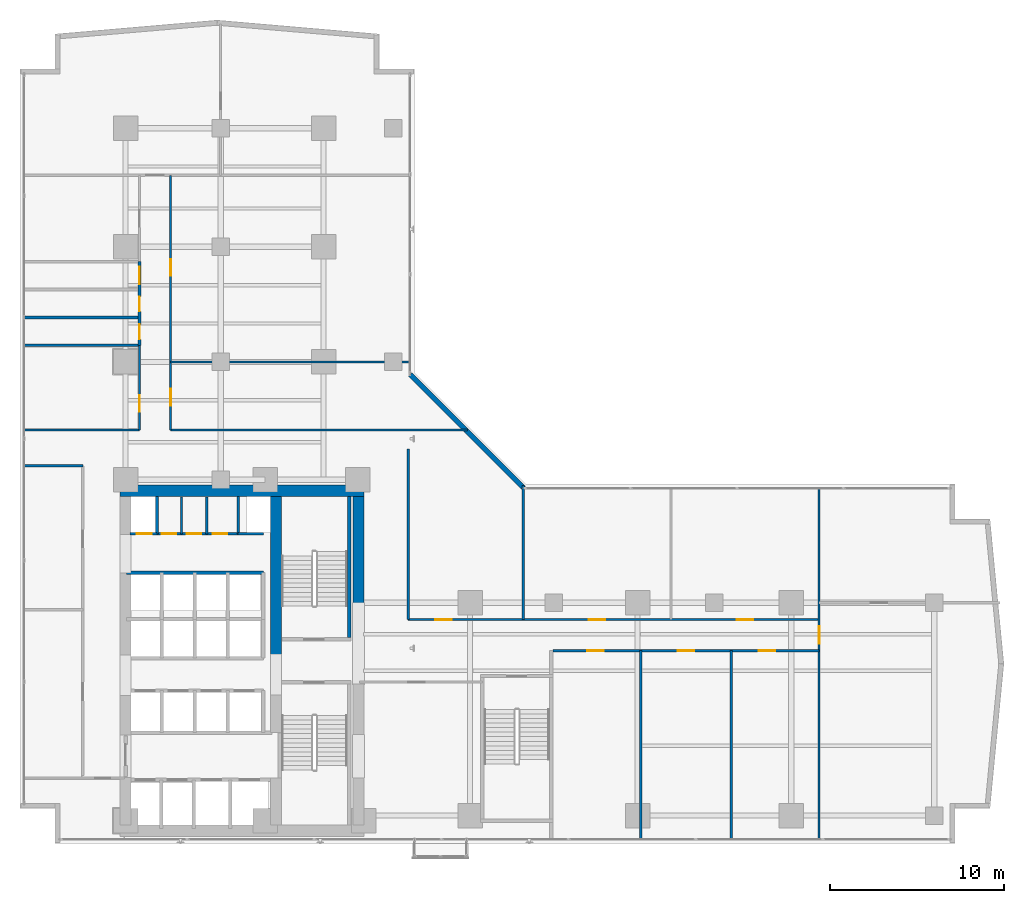
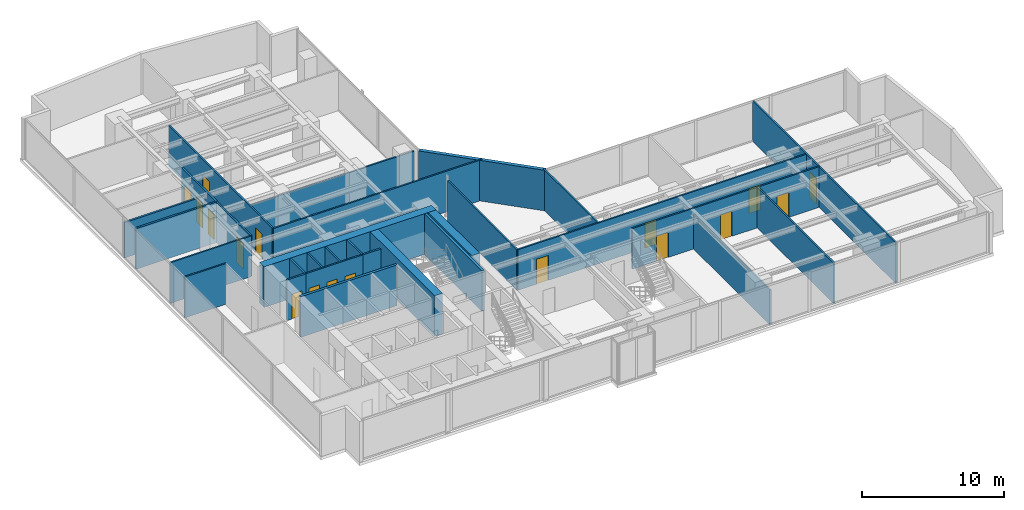
# One storey, part 20 of 25: 29 walls, 17 doors, 17 openings.
"""IFC4 building model written with IfcOpenShell, lengths in metres."""

from ifc_helpers import new_model, si_unit, direction, frame, frame_2d, origin, place, context, subcontext, project, spatial, rectangle, extrude, material, layer, layer_set, type_object, element, fill, save


model = new_model("IFC4")

# Units and contexts
model_context = context("Model", 3, precision=1e-05, world=origin(), true_north=direction((0.0, 1.0)))
body_context = subcontext(model_context, "Body", "Model", "MODEL_VIEW")
ifc_project = project(units=[si_unit("LENGTHUNIT", "METRE"), si_unit("AREAUNIT", "SQUARE_METRE"), si_unit("VOLUMEUNIT", "CUBIC_METRE"), si_unit("PLANEANGLEUNIT", "RADIAN"), si_unit("MASSUNIT", "GRAM", prefix="KILO")], contexts=[model_context])

# Site, building, storey
site_placement = place(None, origin())
site = spatial("IfcSite", under=ifc_project, at=site_placement, CompositionType="ELEMENT")
building_placement = place(site_placement, origin())
building = spatial("IfcBuilding", under=site, at=building_placement, Name="Kolvaren Waterfront Exchange", CompositionType="ELEMENT")
storey_placement = place(building_placement, frame((0.0, 0.0, 106.89990234375)))
storey = spatial("IfcBuildingStorey", under=building, at=storey_placement, Name="L27", CompositionType="ELEMENT", Elevation=106.89990234375)

# Wall
ifc_material_1 = material(Name="Precast concrete C40/50", Category="concrete")
ifc_layer_1 = layer(ifc_material_1, 0.280029296875, Name="Precast concrete C40/50")
ifc_layer_set_1 = layer_set([ifc_layer_1], Name="Precast concrete C40/50")
wall_type_1 = type_object("IfcWallType", Name="ARC-EXT-TERR-280", PredefinedType="SOLIDWALL", material=ifc_layer_set_1)
wall_1_placement = place(storey_placement, frame((30.284912109375, 23.97509765625, 0.0), z_axis=(0.0, 0.0, 1.0), x_axis=(-0.707106781187, 0.707106781187, 0.0)))
element("IfcWall", 1, at=wall_1_placement, inside=storey, type_object=wall_type_1, Name="L27 notched corner spandrel pier ELBOW", PredefinedType="SOLIDWALL", context=body_context, shape_type="SweptSolid", body=[
    extrude(rectangle(XDim=9.20654296875, YDim=0.280029296875, at=frame_2d((4.603271484375, 0.0))), origin(), (0.0, 0.0, 1.0), 3.5),
])

# Wall, openings, doors
ifc_material_2 = material(Name="Acoustic gypsum steel stud", Category="steel")
ifc_layer_2 = layer(ifc_material_2, 0.125, Name="Acoustic gypsum steel stud")
ifc_layer_set_2 = layer_set([ifc_layer_2], Name="Acoustic gypsum steel stud")
wall_type_2 = type_object("IfcWallType", Name="ARC-PART-125", PredefinedType="PARTITIONING", material=ifc_layer_set_2)
wall_2_placement = place(storey_placement, frame((9.25, 21.35009765625, 0.0), z_axis=(0.0, 0.0, 1.0), x_axis=(1.0, 0.0, 0.0)))
wall_2 = element("IfcWall", 2, at=wall_2_placement, inside=storey, type_object=wall_type_2, Name="L27 interior wall PW-L27-SVC-EX-S", PredefinedType="PARTITIONING", context=body_context, shape_type="SweptSolid", body=[
    extrude(rectangle(XDim=4.64990234375, YDim=0.125, at=frame_2d((2.324951171875, 0.0))), origin(), (0.0, 0.0, 1.0), 3.5),
])
opening_1_placement = place(wall_2_placement, frame((0.264892578125, 0.0, 0.0)))
opening_1 = element("IfcOpeningElement", 3, at=opening_1_placement, cuts=wall_2, Name="Opening D01", PredefinedType="OPENING", context=body_context, shape_type="SweptSolid", body=[
    extrude(rectangle(XDim=0.85009765625, YDim=2.14990234375, at=frame_2d((0.425048828125, 1.074951171875))), frame((0.0, 0.072509765625, 0.0), z_axis=(0.0, -1.0, 0.0), x_axis=(1.0, 0.0, 0.0)), (0.0, 0.0, 1.0), 0.14501953125),
])
opening_2_placement = place(wall_2_placement, frame((1.695068359375, 0.0, 0.0)))
opening_2 = element("IfcOpeningElement", 4, at=opening_2_placement, cuts=wall_2, Name="Opening D01", PredefinedType="OPENING", context=body_context, shape_type="SweptSolid", body=[
    extrude(rectangle(XDim=0.85009765625, YDim=2.14990234375, at=frame_2d((0.425048828125, 1.074951171875))), frame((0.0, 0.072509765625, 0.0), z_axis=(0.0, -1.0, 0.0), x_axis=(1.0, 0.0, 0.0)), (0.0, 0.0, 1.0), 0.14501953125),
])
opening_3_placement = place(wall_2_placement, frame((3.18994140625, 0.0, 0.0)))
opening_3 = element("IfcOpeningElement", 5, at=opening_3_placement, cuts=wall_2, Name="Opening D01", PredefinedType="OPENING", context=body_context, shape_type="SweptSolid", body=[
    extrude(rectangle(XDim=0.85009765625, YDim=2.14990234375, at=frame_2d((0.425048828125, 1.074951171875))), frame((0.0, 0.072509765625, 0.0), z_axis=(0.0, -1.0, 0.0), x_axis=(1.0, 0.0, 0.0)), (0.0, 0.0, 1.0), 0.14501953125),
])
ifc_material_3 = material(Name="Oak veneer timber leaf", Category="wood")
door_type_1 = type_object("IfcDoorType", Name="ARC-DR-900", OperationType="NOTDEFINED", PredefinedType="DOOR", material=ifc_material_3)
door_1_placement = place(opening_1_placement, origin())
door_1 = element("IfcDoor", 6, at=door_1_placement, inside=storey, type_object=door_type_1, Name="L27 door DR-L27-SVC-DR-1 (D01)", OperationType="SINGLE_SWING_RIGHT", OverallHeight=2.14990234375, OverallWidth=0.85009765625, PredefinedType="DOOR", context=body_context, shape_type="SweptSolid", body=[
    extrude(rectangle(XDim=0.85009765625, YDim=2.14990234375, at=frame_2d((0.425048828125, 1.074951171875))), frame((0.0, 0.02490234375, 0.0), z_axis=(0.0, -1.0, 0.0), x_axis=(1.0, 0.0, 0.0)), (0.0, 0.0, 1.0), 0.050048828125),
])
fill(opening_1, door_1)
door_2_placement = place(opening_2_placement, origin())
door_2 = element("IfcDoor", 7, at=door_2_placement, inside=storey, type_object=door_type_1, Name="L27 door DR-L27-SVC-DR-2 (D01)", OperationType="SINGLE_SWING_LEFT", OverallHeight=2.14990234375, OverallWidth=0.85009765625, PredefinedType="DOOR", context=body_context, shape_type="SweptSolid", body=[
    extrude(rectangle(XDim=0.85009765625, YDim=2.14990234375, at=frame_2d((0.425048828125, 1.074951171875))), frame((0.0, 0.02490234375, 0.0), z_axis=(0.0, -1.0, 0.0), x_axis=(1.0, 0.0, 0.0)), (0.0, 0.0, 1.0), 0.050048828125),
])
fill(opening_2, door_2)
door_3_placement = place(opening_3_placement, origin())
door_3 = element("IfcDoor", 8, at=door_3_placement, inside=storey, type_object=door_type_1, Name="L27 door DR-L27-SVC-DR-3 (D01)", OperationType="SINGLE_SWING_RIGHT", OverallHeight=2.14990234375, OverallWidth=0.85009765625, PredefinedType="DOOR", context=body_context, shape_type="SweptSolid", body=[
    extrude(rectangle(XDim=0.85009765625, YDim=2.14990234375, at=frame_2d((0.425048828125, 1.074951171875))), frame((0.0, 0.02490234375, 0.0), z_axis=(0.0, -1.0, 0.0), x_axis=(1.0, 0.0, 0.0)), (0.0, 0.0, 1.0), 0.050048828125),
])
fill(opening_3, door_3)

# Walls
for number, where, z_axis, x_axis, name in (
    (9, (10.64990234375, 21.35009765625, 0.0), (0.0, 0.0, 1.0), (0.0, 1.0, 0.0), "L27 interior wall PW-L27-SVC-EX-A"),
    (10, (12.10009765625, 21.35009765625, 0.0), (0.0, 0.0, 1.0), (0.0, 1.0, 0.0), "L27 interior wall PW-L27-SVC-EX-B"),
):
    element("IfcWall", number, at=place(storey_placement, frame(where, z_axis=z_axis, x_axis=x_axis)), inside=storey, type_object=wall_type_2, Name=name, PredefinedType="PARTITIONING", context=body_context, shape_type="SweptSolid", body=[
        extrude(rectangle(XDim=2.099853515625, YDim=0.125, at=frame_2d((1.0498046875, 0.0))), origin(), (0.0, 0.0, 1.0), 3.5),
    ])

# Wall, opening, door
wall_3_placement = place(storey_placement, frame((8.25, 27.300048828125, 0.0), z_axis=(0.0, 0.0, 1.0), x_axis=(0.0, 1.0, 0.0)))
wall_3 = element("IfcWall", 11, at=wall_3_placement, inside=storey, type_object=wall_type_2, Name="L27 interior wall PW-L27-PREWC-E", PredefinedType="PARTITIONING", context=body_context, shape_type="SweptSolid", body=[
    extrude(rectangle(XDim=4.849853515625, YDim=0.125, at=frame_2d((2.4248046875, 0.0))), origin(), (0.0, 0.0, 1.0), 3.5),
])
opening_4_placement = place(wall_3_placement, frame((1.050048828125, 0.0, 0.0)))
opening_4 = element("IfcOpeningElement", 12, at=opening_4_placement, cuts=wall_3, Name="Opening D02", PredefinedType="OPENING", context=body_context, shape_type="SweptSolid", body=[
    extrude(rectangle(XDim=0.949951171875, YDim=2.14990234375, at=frame_2d((0.47509765625, 1.074951171875))), frame((0.0, 0.072509765625, 0.0), z_axis=(0.0, -1.0, 0.0), x_axis=(1.0, 0.0, 0.0)), (0.0, 0.0, 1.0), 0.14501953125),
])
ifc_material_4 = material(Name="Oak veneer acoustic timber", Category="wood")
door_type_2 = type_object("IfcDoorType", Name="ARC-DR-950", OperationType="NOTDEFINED", PredefinedType="DOOR", material=ifc_material_4)
door_4_placement = place(opening_4_placement, origin())
door_4 = element("IfcDoor", 13, at=door_4_placement, inside=storey, type_object=door_type_2, Name="L27 door DR-L27-PREWC-D (D02)", OperationType="SINGLE_SWING_LEFT", OverallHeight=2.14990234375, OverallWidth=0.949951171875, PredefinedType="DOOR", context=body_context, shape_type="SweptSolid", body=[
    extrude(rectangle(XDim=0.949951171875, YDim=2.14990234375, at=frame_2d((0.47509765625, 1.074951171875))), frame((0.0, 0.02490234375, 0.0), z_axis=(0.0, -1.0, 0.0), x_axis=(1.0, 0.0, 0.0)), (0.0, 0.0, 1.0), 0.050048828125),
])
fill(opening_4, door_4)

# Walls
wall_4_placement = place(storey_placement, frame((1.639892578125, 27.300048828125, 0.0), z_axis=(0.0, 0.0, 1.0), x_axis=(1.0, 0.0, 0.0)))
element("IfcWall", 14, at=wall_4_placement, inside=storey, type_object=wall_type_2, Name="L27 interior wall PW-L27-PREWC-S", PredefinedType="PARTITIONING", context=body_context, shape_type="SweptSolid", body=[
    extrude(rectangle(XDim=6.610107421875, YDim=0.125, at=frame_2d((3.30517578125, 0.0))), origin(), (0.0, 0.0, 1.0), 3.5),
])
wall_5_placement = place(storey_placement, frame((1.639892578125, 25.25, 0.0), z_axis=(0.0, 0.0, 1.0), x_axis=(1.0, 0.0, 0.0)))
element("IfcWall", 15, at=wall_5_placement, inside=storey, type_object=wall_type_2, Name="L27 interior wall PW-L27-WFLANK-N", PredefinedType="PARTITIONING", context=body_context, shape_type="SweptSolid", body=[
    extrude(rectangle(XDim=3.360107421875, YDim=0.125, at=frame_2d((1.68017578125, 0.0))), origin(), (0.0, 0.0, 1.0), 3.5),
])

# Wall, openings, doors
wall_6_placement = place(storey_placement, frame((31.949951171875, 14.64990234375, 0.0), z_axis=(0.0, 0.0, 1.0), x_axis=(1.0, 0.0, 0.0)))
wall_6 = element("IfcWall", 16, at=wall_6_placement, inside=storey, type_object=wall_type_2, Name="L27 interior wall PW-L27-ES-CORR", PredefinedType="PARTITIONING", context=body_context, shape_type="SweptSolid", body=[
    extrude(rectangle(XDim=15.25, YDim=0.125, at=frame_2d((7.625, 0.0))), origin(), (0.0, 0.0, 1.0), 3.5),
])
opening_5_placement = place(wall_6_placement, frame((1.96875, 0.0, 0.0)))
opening_5 = element("IfcOpeningElement", 17, at=opening_5_placement, cuts=wall_6, Name="Opening D02", PredefinedType="OPENING", context=body_context, shape_type="SweptSolid", body=[
    extrude(rectangle(XDim=0.949951171875, YDim=2.14990234375, at=frame_2d((0.47509765625, 1.074951171875))), frame((0.0, 0.072509765625, 0.0), z_axis=(0.0, -1.0, 0.0), x_axis=(1.0, 0.0, 0.0)), (0.0, 0.0, 1.0), 0.14501953125),
])
opening_6_placement = place(wall_6_placement, frame((7.14990234375, 0.0, 0.0)))
opening_6 = element("IfcOpeningElement", 18, at=opening_6_placement, cuts=wall_6, Name="Opening D02", PredefinedType="OPENING", context=body_context, shape_type="SweptSolid", body=[
    extrude(rectangle(XDim=0.949951171875, YDim=2.14990234375, at=frame_2d((0.47509765625, 1.074951171875))), frame((0.0, 0.072509765625, 0.0), z_axis=(0.0, -1.0, 0.0), x_axis=(1.0, 0.0, 0.0)), (0.0, 0.0, 1.0), 0.14501953125),
])
opening_7_placement = place(wall_6_placement, frame((11.784912109375, 0.0, 0.0)))
opening_7 = element("IfcOpeningElement", 19, at=opening_7_placement, cuts=wall_6, Name="Opening D02", PredefinedType="OPENING", context=body_context, shape_type="SweptSolid", body=[
    extrude(rectangle(XDim=0.949951171875, YDim=2.14990234375, at=frame_2d((0.47509765625, 1.074951171875))), frame((0.0, 0.072509765625, 0.0), z_axis=(0.0, -1.0, 0.0), x_axis=(1.0, 0.0, 0.0)), (0.0, 0.0, 1.0), 0.14501953125),
])
door_5_placement = place(opening_5_placement, origin())
door_5 = element("IfcDoor", 20, at=door_5_placement, inside=storey, type_object=door_type_2, Name="L27 door DR-L27-ES-D-1 (D02)", OperationType="SINGLE_SWING_LEFT", OverallHeight=2.14990234375, OverallWidth=0.949951171875, PredefinedType="DOOR", context=body_context, shape_type="SweptSolid", body=[
    extrude(rectangle(XDim=0.949951171875, YDim=2.14990234375, at=frame_2d((0.47509765625, 1.074951171875))), frame((0.0, 0.02490234375, 0.0), z_axis=(0.0, -1.0, 0.0), x_axis=(1.0, 0.0, 0.0)), (0.0, 0.0, 1.0), 0.050048828125),
])
fill(opening_5, door_5)
door_6_placement = place(opening_6_placement, origin())
door_6 = element("IfcDoor", 21, at=door_6_placement, inside=storey, type_object=door_type_2, Name="L27 door DR-L27-ES-D-2 (D02)", OperationType="SINGLE_SWING_RIGHT", OverallHeight=2.14990234375, OverallWidth=0.949951171875, PredefinedType="DOOR", context=body_context, shape_type="SweptSolid", body=[
    extrude(rectangle(XDim=0.949951171875, YDim=2.14990234375, at=frame_2d((0.47509765625, 1.074951171875))), frame((0.0, 0.02490234375, 0.0), z_axis=(0.0, -1.0, 0.0), x_axis=(1.0, 0.0, 0.0)), (0.0, 0.0, 1.0), 0.050048828125),
])
fill(opening_6, door_6)
door_7_placement = place(opening_7_placement, origin())
door_7 = element("IfcDoor", 22, at=door_7_placement, inside=storey, type_object=door_type_2, Name="L27 door DR-L27-ES-D-3 (D02)", OperationType="SINGLE_SWING_LEFT", OverallHeight=2.14990234375, OverallWidth=0.949951171875, PredefinedType="DOOR", context=body_context, shape_type="SweptSolid", body=[
    extrude(rectangle(XDim=0.949951171875, YDim=2.14990234375, at=frame_2d((0.47509765625, 1.074951171875))), frame((0.0, 0.02490234375, 0.0), z_axis=(0.0, -1.0, 0.0), x_axis=(1.0, 0.0, 0.0)), (0.0, 0.0, 1.0), 0.050048828125),
])
fill(opening_7, door_7)

# Walls
wall_7_placement = place(storey_placement, frame((36.97998046875, 3.840087890625, 0.0), z_axis=(0.0, 0.0, 1.0), x_axis=(0.0, 1.0, 0.0)))
element("IfcWall", 23, at=wall_7_placement, inside=storey, type_object=wall_type_2, Name="L27 interior wall PW-L27-ES-DIV-1", PredefinedType="PARTITIONING", context=body_context, shape_type="SweptSolid", body=[
    extrude(rectangle(XDim=10.809814453125, YDim=0.125, at=frame_2d((5.40478515625, 0.0))), origin(), (0.0, 0.0, 1.0), 3.0),
])
wall_8_placement = place(storey_placement, frame((42.169921875, 3.840087890625, 0.0), z_axis=(0.0, 0.0, 1.0), x_axis=(0.0, 1.0, 0.0)))
element("IfcWall", 24, at=wall_8_placement, inside=storey, type_object=wall_type_2, Name="L27 interior wall PW-L27-ES-DIV-2", PredefinedType="PARTITIONING", context=body_context, shape_type="SweptSolid", body=[
    extrude(rectangle(XDim=10.809814453125, YDim=0.125, at=frame_2d((5.40478515625, 0.0))), origin(), (0.0, 0.0, 1.0), 3.5),
])

# Wall, opening, door
wall_9_placement = place(storey_placement, frame((47.199951171875, 3.840087890625, 0.0), z_axis=(0.0, 0.0, 1.0), x_axis=(0.0, 1.0, 0.0)))
wall_9 = element("IfcWall", 25, at=wall_9_placement, inside=storey, type_object=wall_type_2, Name="L27 interior wall PW-L27-ETIP-W", PredefinedType="PARTITIONING", context=body_context, shape_type="SweptSolid", body=[
    extrude(rectangle(XDim=20.119873046875, YDim=0.125, at=frame_2d((10.06005859375, 0.0))), origin(), (0.0, 0.0, 1.0), 3.5),
])
opening_8_placement = place(wall_9_placement, frame((11.199951171875, 0.0, 0.0)))
opening_8 = element("IfcOpeningElement", 26, at=opening_8_placement, cuts=wall_9, Name="Opening D03", PredefinedType="OPENING", context=body_context, shape_type="SweptSolid", body=[
    extrude(rectangle(XDim=1.0, YDim=2.199951171875, at=frame_2d((0.5, 1.10009765625))), frame((0.0, 0.072509765625, 0.0), z_axis=(0.0, -1.0, 0.0), x_axis=(1.0, 0.0, 0.0)), (0.0, 0.0, 1.0), 0.14501953125),
])
ifc_material_5 = material(Name="Oak veneer accessible timber", Category="wood")
door_type_3 = type_object("IfcDoorType", Name="ARC-DR-1000", OperationType="NOTDEFINED", PredefinedType="DOOR", material=ifc_material_5)
door_8_placement = place(opening_8_placement, origin())
door_8 = element("IfcDoor", 27, at=door_8_placement, inside=storey, type_object=door_type_3, Name="L27 door DR-L27-ETIP1-D (D03)", OperationType="SINGLE_SWING_RIGHT", OverallHeight=2.199951171875, OverallWidth=1.0, PredefinedType="DOOR", context=body_context, shape_type="SweptSolid", body=[
    extrude(rectangle(XDim=1.0, YDim=2.199951171875, at=frame_2d((0.5, 1.10009765625))), frame((0.0, 0.02490234375, 0.0), z_axis=(0.0, -1.0, 0.0), x_axis=(1.0, 0.0, 0.0)), (0.0, 0.0, 1.0), 0.050048828125),
])
fill(opening_8, door_8)

# Wall
wall_10_placement = place(storey_placement, frame((23.64990234375, 16.429931640625, 0.0), z_axis=(0.0, 0.0, 1.0), x_axis=(0.0, 1.0, 0.0)))
element("IfcWall", 28, at=wall_10_placement, inside=storey, type_object=wall_type_2, Name="L27 interior wall PW-L27-EN-W0", PredefinedType="PARTITIONING", context=body_context, shape_type="SweptSolid", body=[
    extrude(rectangle(XDim=9.77001953125, YDim=0.125, at=frame_2d((4.885009765625, 0.0))), origin(), (0.0, 0.0, 1.0), 3.5),
])

# Wall, openings, doors
wall_11_placement = place(storey_placement, frame((23.64990234375, 16.429931640625, 0.0), z_axis=(0.0, 0.0, 1.0), x_axis=(1.0, 0.0, 0.0)))
wall_11 = element("IfcWall", 29, at=wall_11_placement, inside=storey, type_object=wall_type_2, Name="L27 interior wall PW-L27-EN-CORR", PredefinedType="PARTITIONING", context=body_context, shape_type="SweptSolid", body=[
    extrude(rectangle(XDim=23.550048828125, YDim=0.125, at=frame_2d((11.77490234375, 0.0))), origin(), (0.0, 0.0, 1.0), 3.5),
])
opening_9_placement = place(wall_11_placement, frame((1.538818359375, 0.0, 0.0)))
opening_9 = element("IfcOpeningElement", 30, at=opening_9_placement, cuts=wall_11, Name="Opening D02", PredefinedType="OPENING", context=body_context, shape_type="SweptSolid", body=[
    extrude(rectangle(XDim=0.949951171875, YDim=2.14990234375, at=frame_2d((0.47509765625, 1.074951171875))), frame((0.0, 0.072509765625, 0.0), z_axis=(0.0, -1.0, 0.0), x_axis=(1.0, 0.0, 0.0)), (0.0, 0.0, 1.0), 0.14501953125),
])
opening_10_placement = place(wall_11_placement, frame((10.35498046875, 0.0, 0.0)))
opening_10 = element("IfcOpeningElement", 31, at=opening_10_placement, cuts=wall_11, Name="Opening D02", PredefinedType="OPENING", context=body_context, shape_type="SweptSolid", body=[
    extrude(rectangle(XDim=0.949951171875, YDim=2.14990234375, at=frame_2d((0.47509765625, 1.074951171875))), frame((0.0, 0.072509765625, 0.0), z_axis=(0.0, -1.0, 0.0), x_axis=(1.0, 0.0, 0.0)), (0.0, 0.0, 1.0), 0.14501953125),
])
opening_11_placement = place(wall_11_placement, frame((18.8349609375, 0.0, 0.0)))
opening_11 = element("IfcOpeningElement", 32, at=opening_11_placement, cuts=wall_11, Name="Opening D02", PredefinedType="OPENING", context=body_context, shape_type="SweptSolid", body=[
    extrude(rectangle(XDim=0.949951171875, YDim=2.14990234375, at=frame_2d((0.47509765625, 1.074951171875))), frame((0.0, 0.072509765625, 0.0), z_axis=(0.0, -1.0, 0.0), x_axis=(1.0, 0.0, 0.0)), (0.0, 0.0, 1.0), 0.14501953125),
])
door_9_placement = place(opening_9_placement, origin())
door_9 = element("IfcDoor", 33, at=door_9_placement, inside=storey, type_object=door_type_2, Name="L27 door DR-L27-EN-D-1 (D02)", OperationType="SINGLE_SWING_RIGHT", OverallHeight=2.14990234375, OverallWidth=0.949951171875, PredefinedType="DOOR", context=body_context, shape_type="SweptSolid", body=[
    extrude(rectangle(XDim=0.949951171875, YDim=2.14990234375, at=frame_2d((0.47509765625, 1.074951171875))), frame((0.0, 0.02490234375, 0.0), z_axis=(0.0, -1.0, 0.0), x_axis=(1.0, 0.0, 0.0)), (0.0, 0.0, 1.0), 0.050048828125),
])
fill(opening_9, door_9)
door_10_placement = place(opening_10_placement, origin())
door_10 = element("IfcDoor", 34, at=door_10_placement, inside=storey, type_object=door_type_2, Name="L27 door DR-L27-EN-D-2 (D02)", OperationType="SINGLE_SWING_LEFT", OverallHeight=2.14990234375, OverallWidth=0.949951171875, PredefinedType="DOOR", context=body_context, shape_type="SweptSolid", body=[
    extrude(rectangle(XDim=0.949951171875, YDim=2.14990234375, at=frame_2d((0.47509765625, 1.074951171875))), frame((0.0, 0.02490234375, 0.0), z_axis=(0.0, -1.0, 0.0), x_axis=(1.0, 0.0, 0.0)), (0.0, 0.0, 1.0), 0.050048828125),
])
fill(opening_10, door_10)
door_11_placement = place(opening_11_placement, origin())
door_11 = element("IfcDoor", 35, at=door_11_placement, inside=storey, type_object=door_type_2, Name="L27 door DR-L27-EN-D-3 (D02)", OperationType="SINGLE_SWING_RIGHT", OverallHeight=2.14990234375, OverallWidth=0.949951171875, PredefinedType="DOOR", context=body_context, shape_type="SweptSolid", body=[
    extrude(rectangle(XDim=0.949951171875, YDim=2.14990234375, at=frame_2d((0.47509765625, 1.074951171875))), frame((0.0, 0.02490234375, 0.0), z_axis=(0.0, -1.0, 0.0), x_axis=(1.0, 0.0, 0.0)), (0.0, 0.0, 1.0), 0.050048828125),
])
fill(opening_11, door_11)

# Walls
wall_12_placement = place(storey_placement, frame((30.239990234375, 16.429931640625, 0.0), z_axis=(0.0, 0.0, 1.0), x_axis=(0.0, 1.0, 0.0)))
element("IfcWall", 36, at=wall_12_placement, inside=storey, type_object=wall_type_2, Name="L27 interior wall PW-L27-EN-DIV-1", PredefinedType="PARTITIONING", context=body_context, shape_type="SweptSolid", body=[
    extrude(rectangle(XDim=7.690185546875, YDim=0.125, at=frame_2d((3.84521484375, 0.0))), origin(), (0.0, 0.0, 1.0), 3.5),
])
wall_13_placement = place(storey_placement, frame((10.030029296875, 27.300048828125, 0.0), z_axis=(0.0, 0.0, 1.0), x_axis=(1.0, 0.0, 0.0)))
element("IfcWall", 37, at=wall_13_placement, inside=storey, type_object=wall_type_2, Name="L27 interior wall PW-L27-NE-S0", PredefinedType="PARTITIONING", context=body_context, shape_type="SweptSolid", body=[
    extrude(rectangle(XDim=17.030029296875, YDim=0.125, at=frame_2d((8.51513671875, 0.0))), origin(), (0.0, 0.0, 1.0), 3.5),
])

# Wall, openings, doors
wall_14_placement = place(storey_placement, frame((10.030029296875, 27.300048828125, 0.0), z_axis=(0.0, 0.0, 1.0), x_axis=(0.0, 1.0, 0.0)))
wall_14 = element("IfcWall", 38, at=wall_14_placement, inside=storey, type_object=wall_type_2, Name="L27 interior wall PW-L27-NE-CORR", PredefinedType="PARTITIONING", context=body_context, shape_type="SweptSolid", body=[
    extrude(rectangle(XDim=14.599853515625, YDim=0.125, at=frame_2d((7.2998046875, 0.0))), origin(), (0.0, 0.0, 1.0), 3.5),
])
opening_12_placement = place(wall_14_placement, frame((1.4033203125, 0.0, 0.0)))
opening_12 = element("IfcOpeningElement", 39, at=opening_12_placement, cuts=wall_14, Name="Opening D02", PredefinedType="OPENING", context=body_context, shape_type="SweptSolid", body=[
    extrude(rectangle(XDim=0.949951171875, YDim=2.14990234375, at=frame_2d((0.47509765625, 1.074951171875))), frame((0.0, 0.072509765625, 0.0), z_axis=(0.0, -1.0, 0.0), x_axis=(1.0, 0.0, 0.0)), (0.0, 0.0, 1.0), 0.14501953125),
])
opening_13_placement = place(wall_14_placement, frame((8.845947265625, 0.0, 0.0)))
opening_13 = element("IfcOpeningElement", 40, at=opening_13_placement, cuts=wall_14, Name="Opening D02", PredefinedType="OPENING", context=body_context, shape_type="SweptSolid", body=[
    extrude(rectangle(XDim=0.949951171875, YDim=2.14990234375, at=frame_2d((0.47509765625, 1.074951171875))), frame((0.0, 0.072509765625, 0.0), z_axis=(0.0, -1.0, 0.0), x_axis=(1.0, 0.0, 0.0)), (0.0, 0.0, 1.0), 0.14501953125),
])
door_12_placement = place(opening_12_placement, origin())
door_12 = element("IfcDoor", 41, at=door_12_placement, inside=storey, type_object=door_type_2, Name="L27 door DR-L27-NE-D-1 (D02)", OperationType="SINGLE_SWING_RIGHT", OverallHeight=2.14990234375, OverallWidth=0.949951171875, PredefinedType="DOOR", context=body_context, shape_type="SweptSolid", body=[
    extrude(rectangle(XDim=0.949951171875, YDim=2.14990234375, at=frame_2d((0.47509765625, 1.074951171875))), frame((0.0, 0.02490234375, 0.0), z_axis=(0.0, -1.0, 0.0), x_axis=(1.0, 0.0, 0.0)), (0.0, 0.0, 1.0), 0.050048828125),
])
fill(opening_12, door_12)
door_13_placement = place(opening_13_placement, origin())
door_13 = element("IfcDoor", 42, at=door_13_placement, inside=storey, type_object=door_type_2, Name="L27 door DR-L27-NE-D-2 (D02)", OperationType="SINGLE_SWING_LEFT", OverallHeight=2.14990234375, OverallWidth=0.949951171875, PredefinedType="DOOR", context=body_context, shape_type="SweptSolid", body=[
    extrude(rectangle(XDim=0.949951171875, YDim=2.14990234375, at=frame_2d((0.47509765625, 1.074951171875))), frame((0.0, 0.02490234375, 0.0), z_axis=(0.0, -1.0, 0.0), x_axis=(1.0, 0.0, 0.0)), (0.0, 0.0, 1.0), 0.050048828125),
])
fill(opening_13, door_13)

# Walls
wall_15_placement = place(storey_placement, frame((10.030029296875, 31.199951171875, 0.0), z_axis=(0.0, 0.0, 1.0), x_axis=(1.0, 0.0, 0.0)))
element("IfcWall", 43, at=wall_15_placement, inside=storey, type_object=wall_type_2, Name="L27 interior wall PW-L27-NE-DIV-1", PredefinedType="PARTITIONING", context=body_context, shape_type="SweptSolid", body=[
    extrude(rectangle(XDim=13.72998046875, YDim=0.125, at=frame_2d((6.864990234375, 0.0))), origin(), (0.0, 0.0, 1.0), 3.0),
])
ifc_material_6 = material(Name="Gypsum fireboard steel stud", Category="steel")
ifc_layer_3 = layer(ifc_material_6, 0.14990234375, Name="Gypsum fireboard steel stud")
ifc_layer_set_3 = layer_set([ifc_layer_3], Name="Gypsum fireboard steel stud")
wall_type_3 = type_object("IfcWallType", Name="ARC-PART-150", PredefinedType="PARTITIONING", material=ifc_layer_set_3)
for number, where, z_axis, x_axis, name in (
    (44, (9.25, 21.35009765625, 0.0), (0.0, 0.0, 1.0), (0.0, 1.0, 0.0), "L27 interior wall PW-L27-SVC-R1"),
    (45, (13.89990234375, 21.35009765625, 0.0), (0.0, 0.0, 1.0), (0.0, 1.0, 0.0), "L27 interior wall PW-L27-SVC-R2"),
):
    element("IfcWall", number, at=place(storey_placement, frame(where, z_axis=z_axis, x_axis=x_axis)), inside=storey, type_object=wall_type_3, Name=name, PredefinedType="PARTITIONING", context=body_context, shape_type="SweptSolid", body=[
        extrude(rectangle(XDim=2.1298828125, YDim=0.14990234375, at=frame_2d((1.06494140625, 0.0))), origin(), (0.0, 0.0, 1.0), 3.5),
    ])

# Wall, opening, door
wall_16_placement = place(storey_placement, frame((7.699951171875, 21.35009765625, 0.0), z_axis=(0.0, 0.0, 1.0), x_axis=(1.0, 0.0, 0.0)))
wall_16 = element("IfcWall", 46, at=wall_16_placement, inside=storey, type_object=wall_type_3, Name="L27 interior wall PW-L27-SVC-RE-S", PredefinedType="PARTITIONING", context=body_context, shape_type="SweptSolid", body=[
    extrude(rectangle(XDim=1.550048828125, YDim=0.14990234375, at=frame_2d((0.77490234375, 0.0))), origin(), (0.0, 0.0, 1.0), 3.5),
])
opening_14_placement = place(wall_16_placement, frame((0.389892578125, 0.0, 0.0)))
opening_14 = element("IfcOpeningElement", 47, at=opening_14_placement, cuts=wall_16, Name="Opening FD1", PredefinedType="OPENING", context=body_context, shape_type="SweptSolid", body=[
    extrude(rectangle(XDim=0.85009765625, YDim=2.14990234375, at=frame_2d((0.425048828125, 1.074951171875))), frame((0.0, 0.0849609375, 0.0), z_axis=(0.0, -1.0, 0.0), x_axis=(1.0, 0.0, 0.0)), (0.0, 0.0, 1.0), 0.169921875),
])
ifc_material_7 = material(Name="Pressed steel fire leaf", Category="steel")
door_type_4 = type_object("IfcDoorType", Name="ARC-FD-900", OperationType="NOTDEFINED", PredefinedType="DOOR", material=ifc_material_7)
door_14_placement = place(opening_14_placement, origin())
door_14 = element("IfcDoor", 48, at=door_14_placement, inside=storey, type_object=door_type_4, Name="L27 door DR-L27-RISER-E-DR (FD1)", OperationType="SINGLE_SWING_LEFT", OverallHeight=2.14990234375, OverallWidth=0.85009765625, PredefinedType="DOOR", context=body_context, shape_type="SweptSolid", body=[
    extrude(rectangle(XDim=0.85009765625, YDim=2.14990234375, at=frame_2d((0.425048828125, 1.074951171875))), frame((0.0, 0.02490234375, 0.0), z_axis=(0.0, -1.0, 0.0), x_axis=(1.0, 0.0, 0.0)), (0.0, 0.0, 1.0), 0.050048828125),
])
fill(opening_14, door_14)

# Walls
wall_17_placement = place(storey_placement, frame((13.89990234375, 21.35009765625, 0.0), z_axis=(0.0, 0.0, 1.0), x_axis=(1.0, 0.0, 0.0)))
element("IfcWall", 49, at=wall_17_placement, inside=storey, type_object=wall_type_3, Name="L27 interior wall PW-L27-SVC-RP-S", PredefinedType="PARTITIONING", context=body_context, shape_type="SweptSolid", body=[
    extrude(rectangle(XDim=1.4501953125, YDim=0.14990234375, at=frame_2d((0.72509765625, 0.0))), origin(), (0.0, 0.0, 1.0), 3.5),
])
ifc_material_8 = material(Name="Moisture-resistant gypsum stud")
ifc_layer_4 = layer(ifc_material_8, 0.14990234375, Name="Moisture-resistant gypsum stud")
ifc_layer_set_4 = layer_set([ifc_layer_4], Name="Moisture-resistant gypsum stud")
wall_type_4 = type_object("IfcWallType", Name="ARC-PLUMB-150", PredefinedType="PLUMBINGWALL", material=ifc_layer_set_4)
wall_18_placement = place(storey_placement, frame((1.639892578125, 32.14990234375, 0.0), z_axis=(0.0, 0.0, 1.0), x_axis=(1.0, 0.0, 0.0)))
element("IfcWall", 50, at=wall_18_placement, inside=storey, type_object=wall_type_4, Name="L27 interior wall PW-L27-WC-0", PredefinedType="PLUMBINGWALL", context=body_context, shape_type="SweptSolid", body=[
    extrude(rectangle(XDim=6.610107421875, YDim=0.14990234375, at=frame_2d((3.30517578125, 0.0))), origin(), (0.0, 0.0, 1.0), 3.5),
])

# Wall, openings, doors
wall_19_placement = place(storey_placement, frame((8.25, 32.14990234375, 0.0), z_axis=(0.0, 0.0, 1.0), x_axis=(0.0, 1.0, 0.0)))
wall_19 = element("IfcWall", 51, at=wall_19_placement, inside=storey, type_object=wall_type_4, Name="L27 interior wall PW-L27-WC-E", PredefinedType="PLUMBINGWALL", context=body_context, shape_type="SweptSolid", body=[
    extrude(rectangle(XDim=4.800048828125, YDim=0.14990234375, at=frame_2d((2.39990234375, 0.0))), origin(), (0.0, 0.0, 1.0), 3.5),
])
opening_15_placement = place(wall_19_placement, frame((0.35009765625, 0.0, 0.0)))
opening_15 = element("IfcOpeningElement", 52, at=opening_15_placement, cuts=wall_19, Name="Opening D01", PredefinedType="OPENING", context=body_context, shape_type="SweptSolid", body=[
    extrude(rectangle(XDim=0.85009765625, YDim=2.14990234375, at=frame_2d((0.425048828125, 1.074951171875))), frame((0.0, 0.0849609375, 0.0), z_axis=(0.0, -1.0, 0.0), x_axis=(1.0, 0.0, 0.0)), (0.0, 0.0, 1.0), 0.169921875),
])
opening_16_placement = place(wall_19_placement, frame((1.949951171875, 0.0, 0.0)))
opening_16 = element("IfcOpeningElement", 53, at=opening_16_placement, cuts=wall_19, Name="Opening D01", PredefinedType="OPENING", context=body_context, shape_type="SweptSolid", body=[
    extrude(rectangle(XDim=0.85009765625, YDim=2.14990234375, at=frame_2d((0.425048828125, 1.074951171875))), frame((0.0, 0.0849609375, 0.0), z_axis=(0.0, -1.0, 0.0), x_axis=(1.0, 0.0, 0.0)), (0.0, 0.0, 1.0), 0.169921875),
])
opening_17_placement = place(wall_19_placement, frame((3.5, 0.0, 0.0)))
opening_17 = element("IfcOpeningElement", 54, at=opening_17_placement, cuts=wall_19, Name="Opening D03", PredefinedType="OPENING", context=body_context, shape_type="SweptSolid", body=[
    extrude(rectangle(XDim=1.0, YDim=2.199951171875, at=frame_2d((0.5, 1.10009765625))), frame((0.0, 0.0849609375, 0.0), z_axis=(0.0, -1.0, 0.0), x_axis=(1.0, 0.0, 0.0)), (0.0, 0.0, 1.0), 0.169921875),
])
door_15_placement = place(opening_17_placement, origin())
door_15 = element("IfcDoor", 55, at=door_15_placement, inside=storey, type_object=door_type_3, Name="L27 door DR-L27-WCA-D (D03)", OperationType="SINGLE_SWING_RIGHT", OverallHeight=2.199951171875, OverallWidth=1.0, PredefinedType="DOOR", context=body_context, shape_type="SweptSolid", body=[
    extrude(rectangle(XDim=1.0, YDim=2.199951171875, at=frame_2d((0.5, 1.10009765625))), frame((0.0, 0.02490234375, 0.0), z_axis=(0.0, -1.0, 0.0), x_axis=(1.0, 0.0, 0.0)), (0.0, 0.0, 1.0), 0.050048828125),
])
fill(opening_17, door_15)
door_16_placement = place(opening_15_placement, origin())
door_16 = element("IfcDoor", 56, at=door_16_placement, inside=storey, type_object=door_type_1, Name="L27 door DR-L27-WCM-D (D01)", OperationType="SINGLE_SWING_RIGHT", OverallHeight=2.14990234375, OverallWidth=0.85009765625, PredefinedType="DOOR", context=body_context, shape_type="SweptSolid", body=[
    extrude(rectangle(XDim=0.85009765625, YDim=2.14990234375, at=frame_2d((0.425048828125, 1.074951171875))), frame((0.0, 0.02490234375, 0.0), z_axis=(0.0, -1.0, 0.0), x_axis=(1.0, 0.0, 0.0)), (0.0, 0.0, 1.0), 0.050048828125),
])
fill(opening_15, door_16)
door_17_placement = place(opening_16_placement, origin())
door_17 = element("IfcDoor", 57, at=door_17_placement, inside=storey, type_object=door_type_1, Name="L27 door DR-L27-WCF-D (D01)", OperationType="SINGLE_SWING_LEFT", OverallHeight=2.14990234375, OverallWidth=0.85009765625, PredefinedType="DOOR", context=body_context, shape_type="SweptSolid", body=[
    extrude(rectangle(XDim=0.85009765625, YDim=2.14990234375, at=frame_2d((0.425048828125, 1.074951171875))), frame((0.0, 0.02490234375, 0.0), z_axis=(0.0, -1.0, 0.0), x_axis=(1.0, 0.0, 0.0)), (0.0, 0.0, 1.0), 0.050048828125),
])
fill(opening_16, door_17)

# Walls
wall_20_placement = place(storey_placement, frame((1.639892578125, 33.75, 0.0), z_axis=(0.0, 0.0, 1.0), x_axis=(1.0, 0.0, 0.0)))
element("IfcWall", 58, at=wall_20_placement, inside=storey, type_object=wall_type_4, Name="L27 interior wall PW-L27-WC-1", PredefinedType="PLUMBINGWALL", context=body_context, shape_type="SweptSolid", body=[
    extrude(rectangle(XDim=6.610107421875, YDim=0.14990234375, at=frame_2d((3.30517578125, 0.0))), origin(), (0.0, 0.0, 1.0), 3.050048828125),
])
ifc_material_9 = material(Name="Concrete C40/50", Category="concrete")
ifc_layer_5 = layer(ifc_material_9, 0.199951171875, Name="Concrete C40/50")
ifc_layer_set_5 = layer_set([ifc_layer_5], Name="Concrete C40/50")
wall_type_5 = type_object("IfcWallType", Name="ARC-SHAFT-200", PredefinedType="PARTITIONING", material=ifc_layer_set_5)
wall_21_placement = place(storey_placement, frame((20.260009765625, 15.39990234375, 0.0), z_axis=(0.0, 0.0, 1.0), x_axis=(0.0, 1.0, 0.0)))
element("IfcWall", 59, at=wall_21_placement, inside=storey, type_object=wall_type_5, Name="L27 structural stairwell wall PW-L27-ST2-E", PredefinedType="SHEAR", context=body_context, shape_type="SweptSolid", body=[
    extrude(rectangle(XDim=8.090087890625, YDim=0.199951171875, at=frame_2d((4.044921875, 0.0))), origin(), (0.0, 0.0, 1.0), 3.5),
])
wall_22_placement = place(storey_placement, frame((7.5, 19.1201171875, 0.0), z_axis=(0.0, 0.0, 1.0), x_axis=(1.0, 0.0, 0.0)))
element("IfcWall", 60, at=wall_22_placement, inside=storey, type_object=wall_type_5, Name="L27 interior wall PW-L27-PH-N", PredefinedType="PARTITIONING", context=body_context, shape_type="SweptSolid", body=[
    extrude(rectangle(XDim=7.85009765625, YDim=0.199951171875, at=frame_2d((3.925048828125, 0.0))), origin(), (0.0, 0.0, 1.0), 3.5),
])
ifc_material_10 = material(Name="Concrete C60/75", Category="concrete")
ifc_layer_6 = layer(ifc_material_10, 0.64990234375, Name="Concrete C60/75")
ifc_layer_set_6 = layer_set([ifc_layer_6], Name="Concrete C60/75")
wall_type_6 = type_object("IfcWallType", Name="STR-CWALL-650", PredefinedType="SHEAR", material=ifc_layer_set_6)
wall_23_placement = place(storey_placement, frame((7.125, 23.824951171875, 0.0), z_axis=(0.0, 0.0, 1.0), x_axis=(1.0, 0.0, 0.0)))
element("IfcWall", 61, at=wall_23_placement, inside=storey, type_object=wall_type_6, Name="L27 rear-core shear wall N", PredefinedType="SHEAR", context=body_context, shape_type="SweptSolid", body=[
    extrude(rectangle(XDim=14.0, YDim=0.64990234375, at=frame_2d((7.0, 0.0))), origin(), (0.0, 0.0, 1.0), 3.5),
])
wall_24_placement = place(storey_placement, frame((20.800048828125, 17.35009765625, 0.0), z_axis=(0.0, 0.0, 1.0), x_axis=(0.0, 1.0, 0.0)))
element("IfcWall", 62, at=wall_24_placement, inside=storey, type_object=wall_type_6, Name="L27 rear-core shear wall E3", PredefinedType="SHEAR", context=body_context, shape_type="SweptSolid", body=[
    extrude(rectangle(XDim=6.14990234375, YDim=0.64990234375, at=frame_2d((3.074951171875, 0.0))), origin(), (0.0, 0.0, 1.0), 3.5),
])
wall_25_placement = place(storey_placement, frame((16.074951171875, 14.39990234375, 0.0), z_axis=(0.0, 0.0, 1.0), x_axis=(0.0, 1.0, 0.0)))
element("IfcWall", 63, at=wall_25_placement, inside=storey, type_object=wall_type_6, Name="L27 rear-core shear wall M3", PredefinedType="SHEAR", context=body_context, shape_type="SweptSolid", body=[
    extrude(rectangle(XDim=9.10009765625, YDim=0.64990234375, at=frame_2d((4.550048828125, 0.0))), origin(), (0.0, 0.0, 1.0), 3.5),
])

save(model, "model.ifc")
